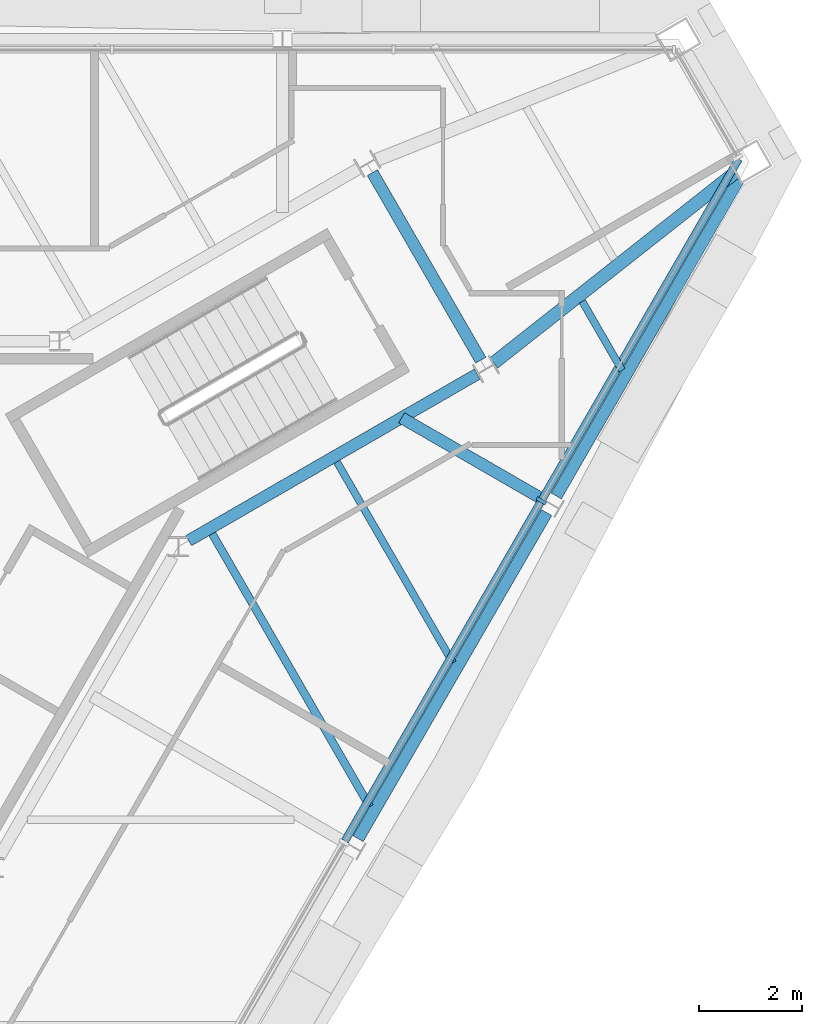
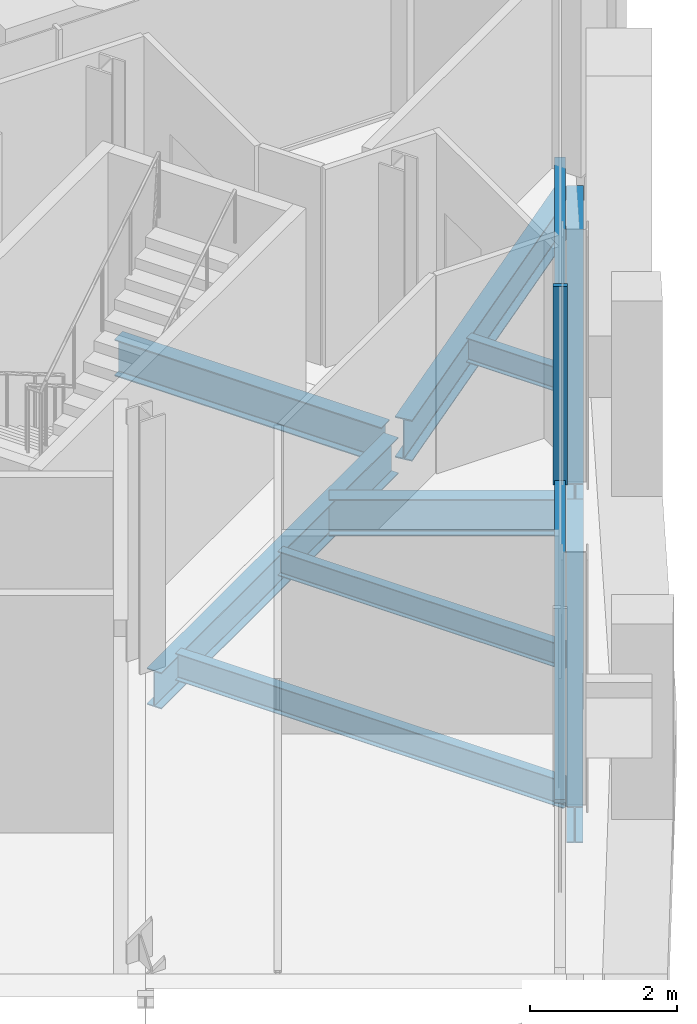
# One storey, part 5 of 13: 9 beams, 3 members, 1 element without a shape of its own.
"""IFC4 building model written with IfcOpenShell, lengths in metres."""

from ifc_helpers import new_model, si_unit, direction, frame, origin, origin_2d, place, context, subcontext, project, spatial, rectangle, i_section, extrude, material, material_profile, profile_set, type_object, element, aggregate, save


model = new_model("IFC4")

# Units and contexts
model_context = context("Model", 3, precision=1e-05, world=origin(), true_north=direction((0.0, 1.0)))
body_context = subcontext(model_context, "Body", "Model", "MODEL_VIEW")
ifc_project = project(units=[si_unit("LENGTHUNIT", "METRE"), si_unit("AREAUNIT", "SQUARE_METRE"), si_unit("VOLUMEUNIT", "CUBIC_METRE"), si_unit("PLANEANGLEUNIT", "RADIAN"), si_unit("MASSUNIT", "GRAM", prefix="KILO")], contexts=[model_context])

# Site, building, storey
site_placement = place(None, origin())
site = spatial("IfcSite", under=ifc_project, at=site_placement, CompositionType="ELEMENT")
building_placement = place(site_placement, origin())
building = spatial("IfcBuilding", under=site, at=building_placement, Name="Verrane Prism Tower", CompositionType="ELEMENT")
storey_placement = place(building_placement, frame((0.0, 0.0, 325.199951171875)))
storey = spatial("IfcBuildingStorey", under=building, at=storey_placement, Name="L82", CompositionType="ELEMENT", Elevation=325.199951171875)

# Beams
ifc_material_1 = material(Name="Steel A992", Category="steel")
ifc_material_profile_1 = material_profile(ifc_material_1, i_section(OverallWidth=0.228271484375, OverallDepth=0.607177734375, WebThickness=0.01123046875, FlangeThickness=0.017333984375, FilletRadius=0.0126953125, at=origin_2d()), Name="W24x76")
ifc_profile_set_1 = profile_set([ifc_material_profile_1], Name="Steel A992")
beam_type_1 = type_object("IfcBeamType", Name="Core ring girder W24x76", PredefinedType="BEAM", material=ifc_profile_set_1)
beam_1_placement = place(storey_placement, frame((9.679443359375, 2.93505859375, -0.553466796875), z_axis=(0.866076057046, 0.499912255713, 0.0), x_axis=(-0.499912255713, 0.866076057046, 0.0)))
element("IfcBeam", 1, at=beam_1_placement, inside=storey, type_object=beam_type_1, Name="Core ring girder L82", PredefinedType="BEAM", context=body_context, shape_type="SweptSolid", body=[
    extrude(i_section(OverallWidth=0.228271484375, OverallDepth=0.607177734375, WebThickness=0.01123046875, FlangeThickness=0.017333984375, FilletRadius=0.0126953125, at=origin_2d()), origin(), (0.0, 0.0, 1.0), 6.458251953125),
])
beam_2_placement = place(storey_placement, frame((15.340087890625, 6.4326171875, -0.553466796875), z_axis=(-0.500323136493, 0.865838760445, 0.0), x_axis=(-0.865838760445, -0.500323136493, 0.0)))
element("IfcBeam", 2, at=beam_2_placement, inside=storey, type_object=beam_type_1, Name="Core ring girder L82", PredefinedType="BEAM", context=body_context, shape_type="SweptSolid", body=[
    extrude(i_section(OverallWidth=0.228271484375, OverallDepth=0.607177734375, WebThickness=0.01123046875, FlangeThickness=0.017333984375, FilletRadius=0.0126953125, at=origin_2d()), origin(), (0.0, 0.0, 1.0), 4.197998046875),
])
ifc_material_2 = material(Name="Steel A992", Category="steel")
ifc_material_profile_2 = material_profile(ifc_material_2, i_section(OverallWidth=0.25390625, OverallDepth=0.683349609375, WebThickness=0.012451171875, FlangeThickness=0.01904296875, FilletRadius=0.01513671875, at=origin_2d()), Name="W27x94")
ifc_profile_set_2 = profile_set([ifc_material_profile_2], Name="Steel A992")
beam_type_2 = type_object("IfcBeamType", Name="Corner girder W27x94", PredefinedType="BEAM", material=ifc_profile_set_2)
beam_3_placement = place(storey_placement, frame((20.26220703125, 10.06103515625, -0.5615234375), z_axis=(-0.785339810319, -0.619064925777, 0.0), x_axis=(0.619064925777, -0.785339810319, 0.0)))
element("IfcBeam", 3, at=beam_3_placement, inside=storey, type_object=beam_type_2, Name="Corner girder L82", PredefinedType="BEAM", context=body_context, shape_type="SweptSolid", body=[
    extrude(i_section(OverallWidth=0.25390625, OverallDepth=0.683349609375, WebThickness=0.012451171875, FlangeThickness=0.01904296875, FilletRadius=0.01513671875, at=origin_2d()), origin(), (0.0, 0.0, 1.0), 5.945068359375),
])
ifc_material_3 = material(Name="Steel A992", Category="steel")
ifc_material_profile_3 = material_profile(ifc_material_3, i_section(OverallWidth=0.140380859375, OverallDepth=0.40380859375, WebThickness=0.007080078125, FlangeThickness=0.01123046875, FilletRadius=0.01025390625, at=origin_2d()), Name="W16x31")
ifc_profile_set_3 = profile_set([ifc_material_profile_3], Name="Steel A992")
beam_type_3 = type_object("IfcBeamType", Name="Floor beam W16x31", PredefinedType="BEAM", material=ifc_profile_set_3)
beam_4_placement = place(storey_placement, frame((14.801513671875, 0.5673828125, -0.36181640625), z_axis=(-0.500038829804, 0.866002984226, 0.0), x_axis=(-0.866002984226, -0.500038829804, 0.0)))
element("IfcBeam", 4, at=beam_4_placement, inside=storey, type_object=beam_type_3, Name="Floor beam L82", PredefinedType="BEAM", context=body_context, shape_type="SweptSolid", body=[
    extrude(i_section(OverallWidth=0.140380859375, OverallDepth=0.40380859375, WebThickness=0.007080078125, FlangeThickness=0.01123046875, FilletRadius=0.01025390625, at=origin_2d()), origin(), (0.0, 0.0, 1.0), 4.497802734375),
])
beam_5_placement = place(storey_placement, frame((18.076904296875, 6.23779296875, -0.36181640625), z_axis=(-0.499978844458, 0.866037617598, 0.0), x_axis=(-0.866037617598, -0.499978844458, 0.0)))
element("IfcBeam", 5, at=beam_5_placement, inside=storey, type_object=beam_type_3, Name="Floor beam L82", PredefinedType="BEAM", context=body_context, shape_type="SweptSolid", body=[
    extrude(i_section(OverallWidth=0.140380859375, OverallDepth=0.40380859375, WebThickness=0.007080078125, FlangeThickness=0.01123046875, FilletRadius=0.01025390625, at=origin_2d()), origin(), (0.0, 0.0, 1.0), 1.53857421875),
])
ifc_material_4 = material(Name="Steel A992", Category="steel")
ifc_material_profile_4 = material_profile(ifc_material_4, i_section(OverallWidth=0.15234375, OverallDepth=0.449462890625, WebThickness=0.007568359375, FlangeThickness=0.0107421875, FilletRadius=0.01025390625, at=origin_2d()), Name="W18x35")
ifc_profile_set_4 = profile_set([ifc_material_profile_4], Name="Steel A992")
beam_type_4 = type_object("IfcBeamType", Name="Floor beam W18x35", PredefinedType="BEAM", material=ifc_profile_set_4)
beam_6_placement = place(storey_placement, frame((13.189697265625, -2.219482421875, -0.384765625), z_axis=(-0.499979762145, 0.8660370878, 0.0), x_axis=(-0.8660370878, -0.499979762145, 0.0)))
element("IfcBeam", 6, at=beam_6_placement, inside=storey, type_object=beam_type_4, Name="Floor beam L82", PredefinedType="BEAM", context=body_context, shape_type="SweptSolid", body=[
    extrude(i_section(OverallWidth=0.15234375, OverallDepth=0.449462890625, WebThickness=0.007568359375, FlangeThickness=0.0107421875, FilletRadius=0.01025390625, at=origin_2d()), origin(), (0.0, 0.0, 1.0), 6.105224609375),
])

# Curtain wall, member
ifc_material_5 = material(Name="Aluminium framed insulated glazing", Category="aluminium")
curtain_wall_type = type_object("IfcCurtainWallType", Name="Curtain wall CW-A 8400 module", PredefinedType="NOTDEFINED", material=ifc_material_5)
curtain_wall_placement = place(storey_placement, origin())
curtain_wall = element("IfcCurtainWall", 7, at=curtain_wall_placement, inside=storey, type_object=curtain_wall_type, Name="Glazed curtain wall south-east face L82", PredefinedType="NOTDEFINED")
ifc_material_6 = material(Name="Aluminium alloy 6063-T6", Category="aluminium")
ifc_material_profile_5 = material_profile(ifc_material_6, rectangle(XDim=0.199951171875, YDim=0.070068359375, at=origin_2d()), Name="Mullion 70x200 aluminium")
ifc_profile_set_5 = profile_set([ifc_material_profile_5], Name="Aluminium alloy 6063-T6")
member_type_1 = type_object("IfcMemberType", Name="Mullion 70x200 aluminium", PredefinedType="MULLION", material=ifc_profile_set_5)
member_1_placement = place(storey_placement, frame((16.513916015625, 3.708251953125, 0.0), z_axis=(0.0, 0.0, 1.0), x_axis=(-0.866025278644, 0.500000216749, 0.0)))
member_1 = element("IfcMember", 8, at=member_1_placement, type_object=member_type_1, Name="CW82.6 mullion 5", PredefinedType="MULLION", context=body_context, shape_type="SweptSolid", body=[
    extrude(rectangle(XDim=0.199951171875, YDim=0.070068359375, at=origin_2d()), origin(), (0.0, 0.0, 1.0), 3.296630859375),
])

# Beams
ifc_material_7 = material(Name="Steel A992", Category="steel")
ifc_material_profile_6 = material_profile(ifc_material_7, i_section(OverallWidth=0.228271484375, OverallDepth=0.607177734375, WebThickness=0.01123046875, FlangeThickness=0.017333984375, FilletRadius=0.0126953125, at=origin_2d()), Name="W24x76")
ifc_profile_set_6 = profile_set([ifc_material_profile_6], Name="Steel A992")
beam_type_5 = type_object("IfcBeamType", Name="Radial girder W24x76", PredefinedType="BEAM", material=ifc_profile_set_6)
beam_7_placement = place(storey_placement, frame((16.550537109375, 3.732177734375, -0.5234375), z_axis=(-0.866011117715, 0.500024743381, 0.0), x_axis=(-0.500024743381, -0.866011117715, 0.0)))
element("IfcBeam", 9, at=beam_7_placement, inside=storey, type_object=beam_type_5, Name="Radial girder L82", PredefinedType="BEAM", context=body_context, shape_type="SweptSolid", body=[
    extrude(i_section(OverallWidth=0.228271484375, OverallDepth=0.607177734375, WebThickness=0.01123046875, FlangeThickness=0.017333984375, FilletRadius=0.0126953125, at=origin_2d()), origin(), (0.0, 0.0, 1.0), 3.169189453125),
])
ifc_material_8 = material(Name="Steel A992", Category="steel")
ifc_material_profile_7 = material_profile(ifc_material_8, i_section(OverallWidth=0.228271484375, OverallDepth=0.607177734375, WebThickness=0.01123046875, FlangeThickness=0.017333984375, FilletRadius=0.0126953125, at=origin_2d()), Name="W24x76")
ifc_profile_set_7 = profile_set([ifc_material_profile_7], Name="Steel A992")
beam_type_6 = type_object("IfcBeamType", Name="Spandrel beam W24x76", PredefinedType="SPANDREL", material=ifc_profile_set_7)
beam_8_placement = place(storey_placement, frame((12.96337890625, -2.83837890625, -0.46337890625), z_axis=(0.50061813753, 0.865668227658, 0.0), x_axis=(-0.865668227658, 0.50061813753, 0.0)))
element("IfcBeam", 10, at=beam_8_placement, inside=storey, type_object=beam_type_6, Name="Spandrel beam L82", PredefinedType="SPANDREL", context=body_context, shape_type="SweptSolid", body=[
    extrude(i_section(OverallWidth=0.228271484375, OverallDepth=0.607177734375, WebThickness=0.01123046875, FlangeThickness=0.017333984375, FilletRadius=0.0126953125, at=origin_2d()), origin(), (0.0, 0.0, 1.0), 7.297119140625),
])
beam_9_placement = place(storey_placement, frame((16.80322265625, 3.8017578125, -0.46337890625), z_axis=(0.499650748497, 0.866226950358, 0.0), x_axis=(-0.866226950358, 0.499650748497, 0.0)))
element("IfcBeam", 11, at=beam_9_placement, inside=storey, type_object=beam_type_6, Name="Spandrel beam L82", PredefinedType="SPANDREL", context=body_context, shape_type="SweptSolid", body=[
    extrude(i_section(OverallWidth=0.228271484375, OverallDepth=0.607177734375, WebThickness=0.01123046875, FlangeThickness=0.017333984375, FilletRadius=0.0126953125, at=origin_2d()), origin(), (0.0, 0.0, 1.0), 7.07421875),
])

# Member
ifc_material_9 = material(Name="Aluminium alloy 6063-T6", Category="aluminium")
ifc_material_profile_8 = material_profile(ifc_material_9, rectangle(XDim=0.14990234375, YDim=0.070068359375, at=origin_2d()), Name="Transom 70x150 aluminium")
ifc_profile_set_8 = profile_set([ifc_material_profile_8], Name="Aluminium alloy 6063-T6")
member_type_2 = type_object("IfcMemberType", Name="Transom 70x150 aluminium", PredefinedType="USERDEFINED", material=ifc_profile_set_8)
member_2_placement = place(storey_placement, frame((12.70849609375, -2.882568359375, 0.03515625), z_axis=(0.50001072126, 0.866019213774, 0.0), x_axis=(-0.866019213774, 0.50001072126, 0.0)))
member_2 = element("IfcMember", 12, at=member_2_placement, type_object=member_type_2, Name="CW82.6 transom 4", ObjectType="TRANSOM", PredefinedType="USERDEFINED", context=body_context, shape_type="SweptSolid", body=[
    extrude(rectangle(XDim=0.14990234375, YDim=0.070068359375, at=origin_2d()), origin(), (0.0, 0.0, 1.0), 7.575439453125),
])

member_3_placement = place(storey_placement, frame((16.53125, 3.738525390625, 0.03515625), z_axis=(0.500006610935, 0.866021586926, 0.0), x_axis=(-0.866021586926, 0.500006610935, 0.0)))
member_3 = element("IfcMember", 13, at=member_3_placement, type_object=member_type_2, Name="CW82.6 transom 5", ObjectType="TRANSOM", PredefinedType="USERDEFINED", context=body_context, shape_type="SweptSolid", body=[
    extrude(rectangle(XDim=0.14990234375, YDim=0.070068359375, at=origin_2d()), origin(), (0.0, 0.0, 1.0), 7.61083984375),
])

aggregate(curtain_wall, [member_1, member_2, member_3])

save(model, "model.ifc")
